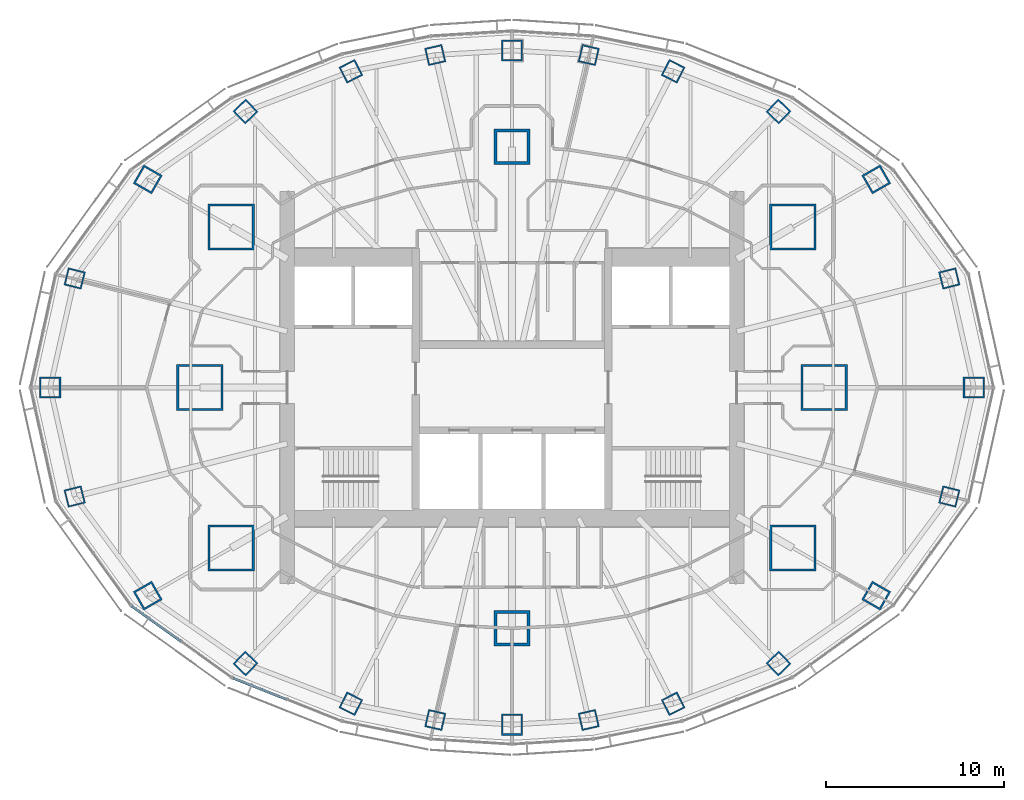
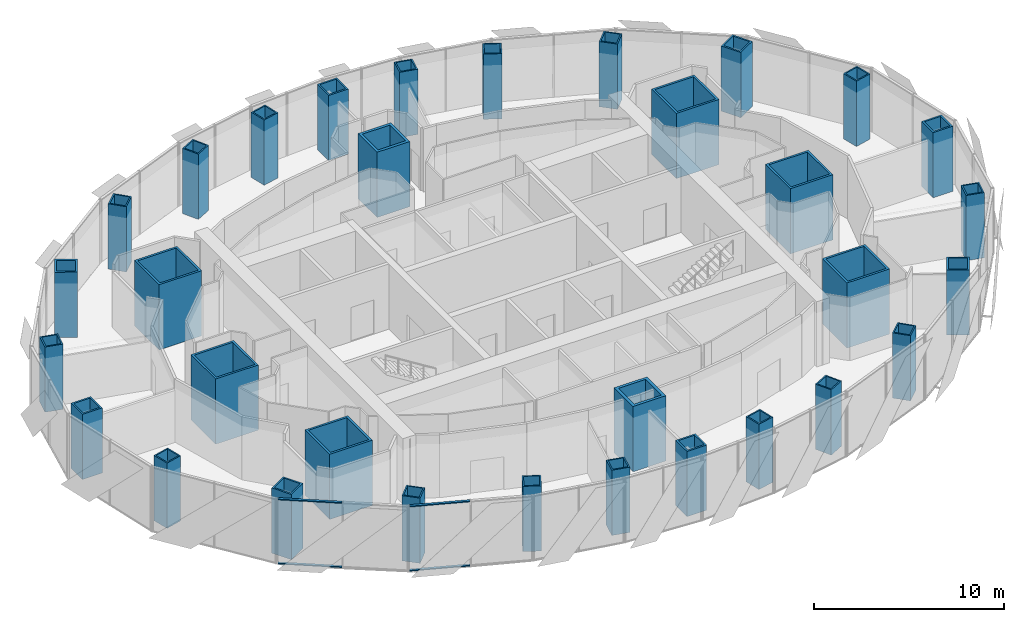
# One storey, part 1 of 18: 32 columns, 4 members, 2 elements without a shape of their own.
"""IFC4 building model written with IfcOpenShell, lengths in metres."""

from ifc_helpers import new_model, si_unit, direction, frame, origin, origin_2d, place, context, subcontext, project, spatial, rectangle, hollow_rectangle, extrude, material, material_profile, profile_set, type_object, element, aggregate, save


model = new_model("IFC4")

# Units and contexts
model_context = context("Model", 3, precision=1e-05, world=origin(), true_north=direction((0.0, 1.0)))
body_context = subcontext(model_context, "Body", "Model", "MODEL_VIEW")
ifc_project = project(units=[si_unit("LENGTHUNIT", "METRE"), si_unit("AREAUNIT", "SQUARE_METRE"), si_unit("VOLUMEUNIT", "CUBIC_METRE"), si_unit("PLANEANGLEUNIT", "RADIAN"), si_unit("MASSUNIT", "GRAM", prefix="KILO")], contexts=[model_context])

# Site, building, storey
site_placement = place(None, origin())
site = spatial("IfcSite", under=ifc_project, at=site_placement, CompositionType="ELEMENT")
building_placement = place(site_placement, origin())
building = spatial("IfcBuilding", under=site, at=building_placement, Name="Lantaw Convention Tower", CompositionType="ELEMENT")
storey_placement = place(building_placement, frame((0.0, 0.0, 257.800048828125)))
storey = spatial("IfcBuildingStorey", under=building, at=storey_placement, Name="L60", CompositionType="ELEMENT", Elevation=257.800048828125)

# Columns
ifc_material_1 = material(Name="Steel EN 10025-3 S460N", Category="steel")
ifc_material_profile_1 = material_profile(ifc_material_1, hollow_rectangle(XDim=2.0, YDim=2.0, WallThickness=0.169921875, at=origin_2d()), Name="BOX2000X170")
ifc_material_2 = material(Name="Concrete C60/75", Category="concrete")
ifc_material_profile_2 = material_profile(ifc_material_2, rectangle(XDim=1.659912109375, YDim=1.659912109375, at=origin_2d()), Name="Concrete fill of BOX2000X170")
ifc_profile_set_1 = profile_set([ifc_material_profile_1, ifc_material_profile_2], Name="Steel EN 10025-3 S460N")
column_type_1 = type_object("IfcColumnType", Name="Column MC BOX2000X170", PredefinedType="COLUMN", material=ifc_profile_set_1)
for number, where, z_axis, x_axis, name in (
    (1, (0.0, 13.5, 0.0), (0.0, 0.0, 1.0), (1.0, 0.0, 0.0), "Mega column M3"),
    (2, (0.0, -13.5, 0.0), (0.0, 0.0, 1.0), (1.0, 0.0, 0.0), "Mega column M7"),
):
    element("IfcColumn", number, at=place(storey_placement, frame(where, z_axis=z_axis, x_axis=x_axis)), inside=storey, type_object=column_type_1, Name=name, PredefinedType="COLUMN", context=body_context, shape_type="SweptSolid", body=[
        extrude(hollow_rectangle(XDim=2.0, YDim=2.0, WallThickness=0.169921875, at=origin_2d()), origin(), (0.0, 0.0, 1.0), 4.199951171875),
    ])
ifc_material_profile_3 = material_profile(ifc_material_1, hollow_rectangle(XDim=2.60009765625, YDim=2.60009765625, WallThickness=0.1298828125, at=origin_2d()), Name="BOX2600X130")
ifc_material_profile_4 = material_profile(ifc_material_2, rectangle(XDim=2.340087890625, YDim=2.340087890625, at=origin_2d()), Name="Concrete fill of BOX2600X130")
ifc_profile_set_2 = profile_set([ifc_material_profile_3, ifc_material_profile_4], Name="Steel EN 10025-3 S460N")
column_type_2 = type_object("IfcColumnType", Name="Column MC BOX2600X130", PredefinedType="COLUMN", material=ifc_profile_set_2)
for number, where, z_axis, x_axis, name in (
    (3, (17.5, 0.0, 0.0), (0.0, 0.0, 1.0), (1.0, 0.0, 0.0), "Mega column M1"),
    (4, (15.75, 9.0, 0.0), (0.0, 0.0, 1.0), (1.0, 0.0, 0.0), "Mega column M2"),
    (5, (-15.75, 9.0, 0.0), (0.0, 0.0, 1.0), (1.0, 0.0, 0.0), "Mega column M4"),
    (6, (-17.5, 0.0, 0.0), (0.0, 0.0, 1.0), (1.0, 0.0, 0.0), "Mega column M5"),
    (7, (-15.75, -9.0, 0.0), (0.0, 0.0, 1.0), (1.0, 0.0, 0.0), "Mega column M6"),
    (8, (15.75, -9.0, 0.0), (0.0, 0.0, 1.0), (1.0, 0.0, 0.0), "Mega column M8"),
):
    element("IfcColumn", number, at=place(storey_placement, frame(where, z_axis=z_axis, x_axis=x_axis)), inside=storey, type_object=column_type_2, Name=name, PredefinedType="COLUMN", context=body_context, shape_type="SweptSolid", body=[
        extrude(hollow_rectangle(XDim=2.60009765625, YDim=2.60009765625, WallThickness=0.1298828125, at=origin_2d()), origin(), (0.0, 0.0, 1.0), 4.199951171875),
    ])
ifc_material_3 = material(Name="Steel ASTM A572 Grade 50", Category="steel")
ifc_material_profile_5 = material_profile(ifc_material_3, hollow_rectangle(XDim=1.0, YDim=1.0, WallThickness=0.080078125, at=origin_2d()), Name="BOX1000X80")
ifc_material_profile_6 = material_profile(ifc_material_2, rectangle(XDim=0.840087890625, YDim=0.840087890625, at=origin_2d()), Name="Concrete fill of BOX1000X80")
ifc_profile_set_3 = profile_set([ifc_material_profile_5, ifc_material_profile_6], Name="Steel ASTM A572 Grade 50")
column_type_3 = type_object("IfcColumnType", Name="Column PC BOX1000X80", PredefinedType="COLUMN", material=ifc_profile_set_3)
for number, where, z_axis, x_axis, name in (
    (9, (24.52197265625, 6.114013671875, 0.0), (0.0, 0.0, 1.0), (0.970295726276, 0.2419218956, 0.0), "Perimeter column P2"),
    (10, (14.9443359375, 15.475341796875, 0.0), (0.0, 0.0, 1.0), (0.694658370459, 0.719339800339, 0.0), "Perimeter column P4"),
    (11, (9.03466796875, 17.7314453125, 0.0), (0.0, 0.0, 1.0), (0.45399049974, 0.891006524188, 0.0), "Perimeter column P5"),
    (12, (4.303955078125, 18.64208984375, 0.0), (0.0, 0.0, 1.0), (0.224951054344, 0.974370064785, 0.0), "Perimeter column P6"),
    (13, (-4.303955078125, 18.64208984375, 0.0), (0.0, 0.0, 1.0), (0.974370064785, 0.224951054344, 0.0), "Perimeter column P8"),
    (14, (-9.03466796875, 17.7314453125, 0.0), (0.0, 0.0, 1.0), (0.891006524188, 0.45399049974, 0.0), "Perimeter column P9"),
    (15, (-14.9443359375, 15.475341796875, 0.0), (0.0, 0.0, 1.0), (0.719339800339, 0.694658370459, 0.0), "Perimeter column P10"),
    (16, (-24.52197265625, 6.114013671875, 0.0), (0.0, 0.0, 1.0), (0.2419218956, 0.970295726276, 0.0), "Perimeter column P12"),
    (17, (-24.52197265625, -6.114013671875, 0.0), (0.0, 0.0, 1.0), (0.970295726276, 0.2419218956, 0.0), "Perimeter column P14"),
    (18, (-14.9443359375, -15.475341796875, 0.0), (0.0, 0.0, 1.0), (0.694658370459, 0.719339800339, 0.0), "Perimeter column P16"),
    (19, (-9.03466796875, -17.7314453125, 0.0), (0.0, 0.0, 1.0), (0.45399049974, 0.891006524188, 0.0), "Perimeter column P17"),
    (20, (-4.303955078125, -18.64208984375, 0.0), (0.0, 0.0, 1.0), (0.224951054344, 0.974370064785, 0.0), "Perimeter column P18"),
    (21, (4.303955078125, -18.64208984375, 0.0), (0.0, 0.0, 1.0), (0.974370064785, 0.224951054344, 0.0), "Perimeter column P20"),
    (22, (9.03466796875, -17.7314453125, 0.0), (0.0, 0.0, 1.0), (0.891006524188, 0.45399049974, 0.0), "Perimeter column P21"),
    (23, (14.9443359375, -15.475341796875, 0.0), (0.0, 0.0, 1.0), (0.719339800339, 0.694658370459, 0.0), "Perimeter column P22"),
    (24, (24.52197265625, -6.114013671875, 0.0), (0.0, 0.0, 1.0), (0.2419218956, 0.970295726276, 0.0), "Perimeter column P24"),
):
    element("IfcColumn", number, at=place(storey_placement, frame(where, z_axis=z_axis, x_axis=x_axis)), inside=storey, type_object=column_type_3, Name=name, PredefinedType="COLUMN", context=body_context, shape_type="SweptSolid", body=[
        extrude(hollow_rectangle(XDim=1.0, YDim=1.0, WallThickness=0.080078125, at=origin_2d()), origin(), (0.0, 0.0, 1.0), 4.199951171875),
    ])
ifc_material_profile_7 = material_profile(ifc_material_1, hollow_rectangle(XDim=1.199951171875, YDim=1.199951171875, WallThickness=0.10009765625, at=origin_2d()), Name="BOX1200X100")
ifc_material_profile_8 = material_profile(ifc_material_2, rectangle(XDim=1.0, YDim=1.0, at=origin_2d()), Name="Concrete fill of BOX1200X100")
ifc_profile_set_4 = profile_set([ifc_material_profile_7, ifc_material_profile_8], Name="Steel EN 10025-3 S460N")
column_type_4 = type_object("IfcColumnType", Name="Column PC BOX1200X100", PredefinedType="COLUMN", material=ifc_profile_set_4)
for number, where, z_axis, x_axis, name in (
    (25, (25.89990234375, 0.0, 0.0), (0.0, 0.0, 1.0), (1.0, 0.0, 0.0), "Perimeter column P1"),
    (26, (20.423095703125, 11.67041015625, 0.0), (0.0, 0.0, 1.0), (0.86824298017, 0.496139221777, 0.0), "Perimeter column P3"),
    (27, (0.0, 18.89990234375, 0.0), (0.0, 0.0, 1.0), (1.0, 0.0, 0.0), "Perimeter column P7"),
    (28, (-20.423095703125, 11.67041015625, 0.0), (0.0, 0.0, 1.0), (0.496139221777, 0.86824298017, 0.0), "Perimeter column P11"),
    (29, (-25.89990234375, 0.0, 0.0), (0.0, 0.0, 1.0), (1.0, 0.0, 0.0), "Perimeter column P13"),
    (30, (-20.423095703125, -11.67041015625, 0.0), (0.0, 0.0, 1.0), (0.86824298017, 0.496139221777, 0.0), "Perimeter column P15"),
    (31, (0.0, -18.89990234375, 0.0), (0.0, 0.0, 1.0), (1.0, 0.0, 0.0), "Perimeter column P19"),
    (32, (20.423095703125, -11.67041015625, 0.0), (0.0, 0.0, 1.0), (0.496139221777, 0.86824298017, 0.0), "Perimeter column P23"),
):
    element("IfcColumn", number, at=place(storey_placement, frame(where, z_axis=z_axis, x_axis=x_axis)), inside=storey, type_object=column_type_4, Name=name, PredefinedType="COLUMN", context=body_context, shape_type="SweptSolid", body=[
        extrude(hollow_rectangle(XDim=1.199951171875, YDim=1.199951171875, WallThickness=0.10009765625, at=origin_2d()), origin(), (0.0, 0.0, 1.0), 4.199951171875),
    ])

# Curtain wall, members
ifc_material_4 = material(Name="Aluminium framed curtain wall", Category="aluminium")
curtain_wall_type = type_object("IfcCurtainWallType", Name="Office curtain wall high rise, pale aluminium", PredefinedType="USERDEFINED", material=ifc_material_4)
curtain_wall_1_placement = place(storey_placement, origin())
curtain_wall_1 = element("IfcCurtainWall", 33, at=curtain_wall_1_placement, inside=storey, type_object=curtain_wall_type, Name="Office curtain wall high rise, pale aluminium L60", ObjectType="UNITISED CURTAIN WALL", PredefinedType="USERDEFINED")
ifc_material_5 = material(Name="Aluminium 6063-T6", Category="aluminium")
ifc_material_profile_9 = material_profile(ifc_material_5, rectangle(XDim=0.14990234375, YDim=0.06494140625, at=origin_2d()), Name="CW-O2 transom 65x150")
ifc_profile_set_5 = profile_set([ifc_material_profile_9], Name="Aluminium 6063-T6")
member_type = type_object("IfcMemberType", Name="CW-O2 transom 65x150", PredefinedType="USERDEFINED", material=ifc_profile_set_5)
member_1_placement = place(storey_placement, frame((-21.3251953125, -12.25390625, -0.117431640625), z_axis=(0.813679882592, -0.581313210468, 0.0), x_axis=(0.581313210468, 0.813679882592, 0.0)))
member_1 = element("IfcMember", 34, at=member_1_placement, type_object=member_type, Name="CW-O2 transom 1.1", ObjectType="TRANSOM", PredefinedType="USERDEFINED", context=body_context, shape_type="SweptSolid", body=[
    extrude(rectangle(XDim=0.14990234375, YDim=0.06494140625, at=origin_2d()), origin(), (0.0, 0.0, 1.0), 3.38623046875),
])
member_2_placement = place(storey_placement, frame((-21.3251953125, -12.25390625, 4.017333984375), z_axis=(0.813679882592, -0.581313210468, 0.0), x_axis=(0.581313210468, 0.813679882592, 0.0)))
member_2 = element("IfcMember", 35, at=member_2_placement, type_object=member_type, Name="CW-O2 transom 1.2", ObjectType="TRANSOM", PredefinedType="USERDEFINED", context=body_context, shape_type="SweptSolid", body=[
    extrude(rectangle(XDim=0.14990234375, YDim=0.06494140625, at=origin_2d()), origin(), (0.0, 0.0, 1.0), 3.38623046875),
])
aggregate(curtain_wall_1, [member_1, member_2])

curtain_wall_2_placement = place(storey_placement, origin())
curtain_wall_2 = element("IfcCurtainWall", 36, at=curtain_wall_2_placement, inside=storey, type_object=curtain_wall_type, Name="Office curtain wall high rise, pale aluminium L60", ObjectType="UNITISED CURTAIN WALL", PredefinedType="USERDEFINED")
member_3_placement = place(storey_placement, frame((-15.648193359375, -16.29052734375, -0.117431640625), z_axis=(0.929740712354, -0.368214893495, 0.0), x_axis=(0.368214893495, 0.929740712354, 0.0)))
member_3 = element("IfcMember", 37, at=member_3_placement, type_object=member_type, Name="CW-O2 transom 1.1", ObjectType="TRANSOM", PredefinedType="USERDEFINED", context=body_context, shape_type="SweptSolid", body=[
    extrude(rectangle(XDim=0.14990234375, YDim=0.06494140625, at=origin_2d()), origin(), (0.0, 0.0, 1.0), 3.22314453125),
])
member_4_placement = place(storey_placement, frame((-15.648193359375, -16.29052734375, 4.017333984375), z_axis=(0.929740712354, -0.368214893495, 0.0), x_axis=(0.368214893495, 0.929740712354, 0.0)))
member_4 = element("IfcMember", 38, at=member_4_placement, type_object=member_type, Name="CW-O2 transom 1.2", ObjectType="TRANSOM", PredefinedType="USERDEFINED", context=body_context, shape_type="SweptSolid", body=[
    extrude(rectangle(XDim=0.14990234375, YDim=0.06494140625, at=origin_2d()), origin(), (0.0, 0.0, 1.0), 3.22314453125),
])
aggregate(curtain_wall_2, [member_3, member_4])

save(model, "model.ifc")
